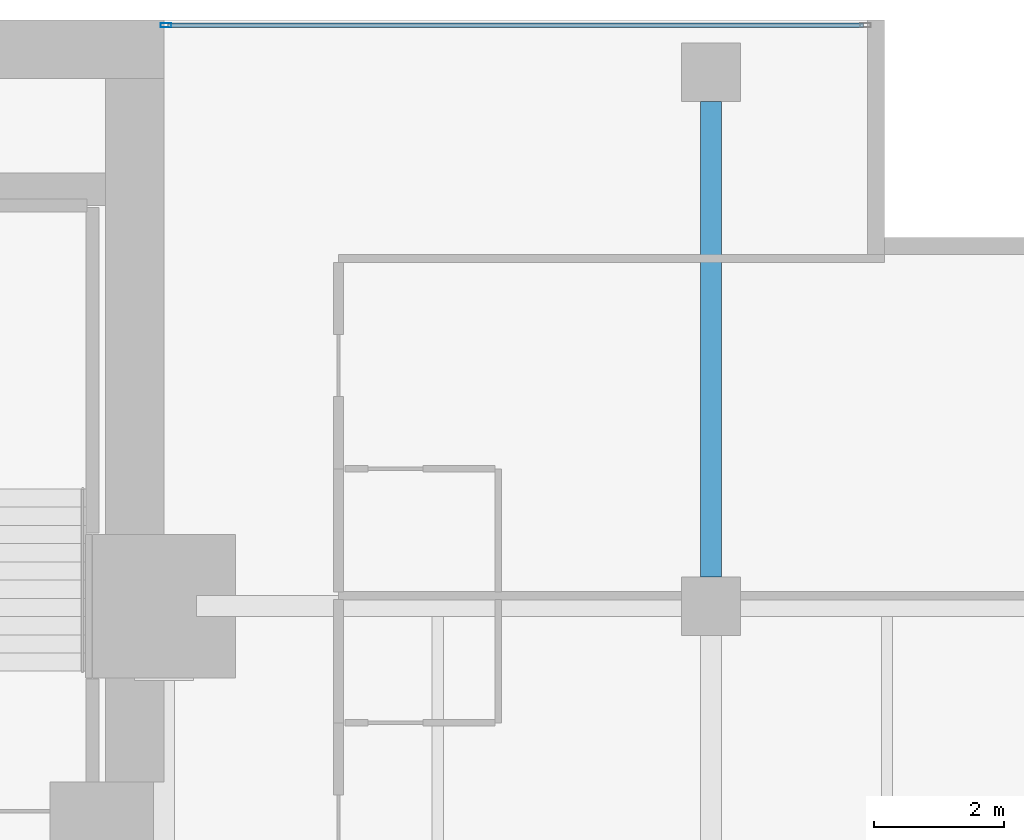
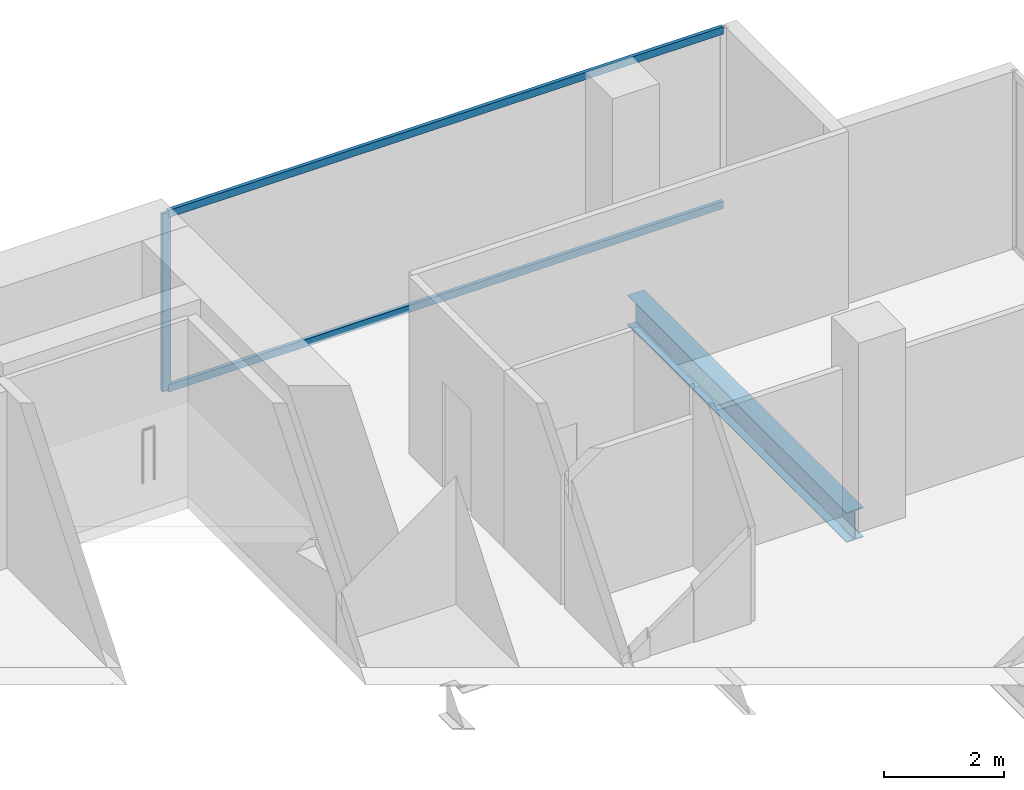
# One storey, part 30 of 41: 3 members, 1 beam, 1 element without a shape of its own.
"""IFC4 building model written with IfcOpenShell, lengths in metres."""

from ifc_helpers import new_model, si_unit, direction, frame, origin, origin_2d, place, context, subcontext, project, spatial, hollow_rectangle, i_section, extrude, material, layer, layer_set, material_profile, profile_set, type_object, element, aggregate, save


model = new_model("IFC4")

# Units and contexts
model_context = context("Model", 3, precision=1e-05, world=origin(), true_north=direction((0.0, 1.0)))
body_context = subcontext(model_context, "Body", "Model", "MODEL_VIEW")
ifc_project = project(units=[si_unit("LENGTHUNIT", "METRE"), si_unit("AREAUNIT", "SQUARE_METRE"), si_unit("VOLUMEUNIT", "CUBIC_METRE"), si_unit("PLANEANGLEUNIT", "RADIAN"), si_unit("MASSUNIT", "GRAM", prefix="KILO")], contexts=[model_context])

# Site, building, storey
site_placement = place(None, origin())
site = spatial("IfcSite", under=ifc_project, at=site_placement, CompositionType="ELEMENT")
building_placement = place(site_placement, origin())
building = spatial("IfcBuilding", under=site, at=building_placement, Name="Maruvema Waterfront Hotel and Observation Tower", CompositionType="ELEMENT")
storey_placement = place(building_placement, frame((0.0, 0.0, 84.699951171875)))
storey = spatial("IfcBuildingStorey", under=building, at=storey_placement, Name="L20", CompositionType="ELEMENT", Elevation=84.699951171875)

# Curtain wall, members
ifc_material_1 = material(Name="Anodised bronze aluminium and solar-control low-E IGU", Category="aluminium")
ifc_layer = layer(ifc_material_1, 0.159912109375, Name="Zone 1 Bronze Inner Thermal Curtain Wall System CW-02")
ifc_layer_set = layer_set([ifc_layer], Name="Anodised bronze aluminium and solar-control low-E IGU")
curtain_wall_type = type_object("IfcCurtainWallType", Name="Zone 1 Bronze Inner Thermal Curtain Wall System CW-02", PredefinedType="USERDEFINED", material=ifc_layer_set)
curtain_wall_placement = place(storey_placement, origin())
curtain_wall = element("IfcCurtainWall", 1, at=curtain_wall_placement, inside=storey, type_object=curtain_wall_type, Name="L20 Curtain Wall CW-L20-NE", ObjectType="UNITISED CURTAIN WALL", PredefinedType="USERDEFINED")
ifc_material_2 = material(Name="Anodised architectural bronze aluminium", Category="aluminium")
ifc_material_profile_1 = material_profile(ifc_material_2, hollow_rectangle(XDim=0.070068359375, YDim=0.14990234375, WallThickness=0.00390625, at=origin_2d()), Name="ALU-T70x150")
ifc_profile_set_1 = profile_set([ifc_material_profile_1], Name="Anodised architectural bronze aluminium")
member_type_1 = type_object("IfcMemberType", Name="Curtain Wall Horizontal Transom ALU-T70x150", PredefinedType="USERDEFINED", material=ifc_profile_set_1)
member_1_placement = place(storey_placement, frame((61.139892578125, 53.919921875, 0.030029296875), z_axis=(-1.0, 0.0, 0.0), x_axis=(0.0, -1.0, 0.0)))
member_1 = element("IfcMember", 2, at=member_1_placement, type_object=member_type_1, Name="CW-02 transom 1.1", ObjectType="TRANSOM", PredefinedType="USERDEFINED", context=body_context, shape_type="SweptSolid", body=[
    extrude(hollow_rectangle(XDim=0.070068359375, YDim=0.14990234375, WallThickness=0.00390625, at=origin_2d()), origin(), (0.0, 0.0, 1.0), 10.679931640625),
])
member_2_placement = place(storey_placement, frame((61.139892578125, 53.919921875, 3.580078125), z_axis=(-1.0, 0.0, 0.0), x_axis=(0.0, -1.0, 0.0)))
member_2 = element("IfcMember", 3, at=member_2_placement, type_object=member_type_1, Name="CW-02 transom 1.2", ObjectType="TRANSOM", PredefinedType="USERDEFINED", context=body_context, shape_type="SweptSolid", body=[
    extrude(hollow_rectangle(XDim=0.070068359375, YDim=0.14990234375, WallThickness=0.00390625, at=origin_2d()), origin(), (0.0, 0.0, 1.0), 10.679931640625),
])
ifc_material_3 = material(Name="Anodised architectural bronze aluminium", Category="aluminium")
ifc_material_profile_2 = material_profile(ifc_material_3, hollow_rectangle(XDim=0.06494140625, YDim=0.1650390625, WallThickness=0.00390625, at=origin_2d()), Name="ALU-M65x165")
ifc_profile_set_2 = profile_set([ifc_material_profile_2], Name="Anodised architectural bronze aluminium")
member_type_2 = type_object("IfcMemberType", Name="Curtain Wall Primary Mullion ALU-M65x165", PredefinedType="MULLION", material=ifc_profile_set_2)
member_3_placement = place(storey_placement, frame((50.429931640625, 53.919921875, 0.0), z_axis=(0.0, 0.0, 1.0), x_axis=(0.0, -1.0, 0.0)))
member_3 = element("IfcMember", 4, at=member_3_placement, type_object=member_type_2, Name="CW-02 mullion 2", PredefinedType="MULLION", context=body_context, shape_type="SweptSolid", body=[
    extrude(hollow_rectangle(XDim=0.06494140625, YDim=0.1650390625, WallThickness=0.00390625, at=origin_2d()), origin(), (0.0, 0.0, 1.0), 3.610107421875),
])
aggregate(curtain_wall, [member_3, member_1, member_2])

# Beam
ifc_material_4 = material(Name="Steel ASTM A572 Grade 50", Category="steel")
ifc_material_profile_3 = material_profile(ifc_material_4, i_section(OverallWidth=0.323974609375, OverallDepth=0.611083984375, WebThickness=0.0126953125, FlangeThickness=0.01904296875, FilletRadius=0.01806640625, at=origin_2d()), Name="W610x155.0")
ifc_profile_set_3 = profile_set([ifc_material_profile_3], Name="Steel ASTM A572 Grade 50")
beam_type = type_object("IfcBeamType", Name="Primary Floor Girder W610x155.0", PredefinedType="BEAM", material=ifc_profile_set_3)
beam_placement = place(storey_placement, frame((58.800048828125, 45.449951171875, -0.54541015625), z_axis=(0.0, 1.0, 0.0), x_axis=(-1.0, 0.0, 0.0)))
element("IfcBeam", 5, at=beam_placement, inside=storey, type_object=beam_type, Name="L20 Floor Girder NS-32", PredefinedType="BEAM", context=body_context, shape_type="SweptSolid", body=[
    extrude(i_section(OverallWidth=0.323974609375, OverallDepth=0.611083984375, WebThickness=0.0126953125, FlangeThickness=0.01904296875, FilletRadius=0.01806640625, at=origin_2d()), origin(), (0.0, 0.0, 1.0), 7.300048828125),
])

save(model, "model.ifc")
